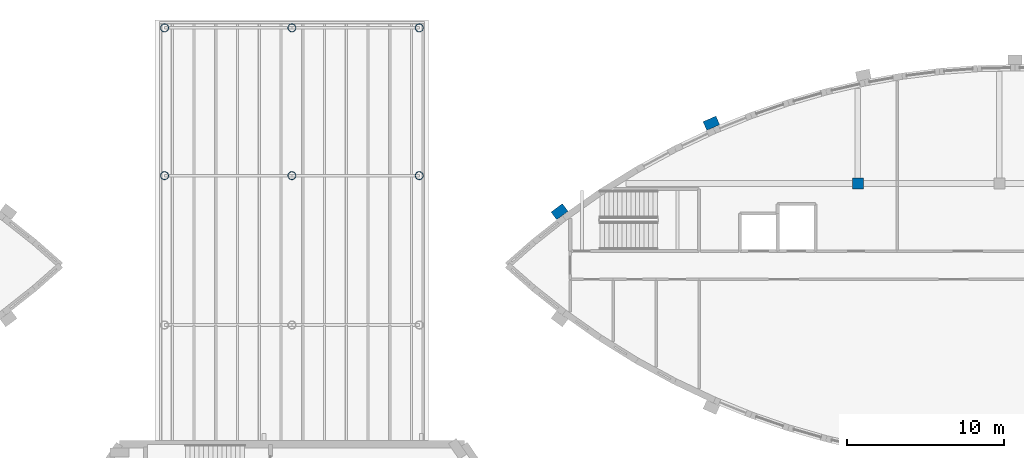
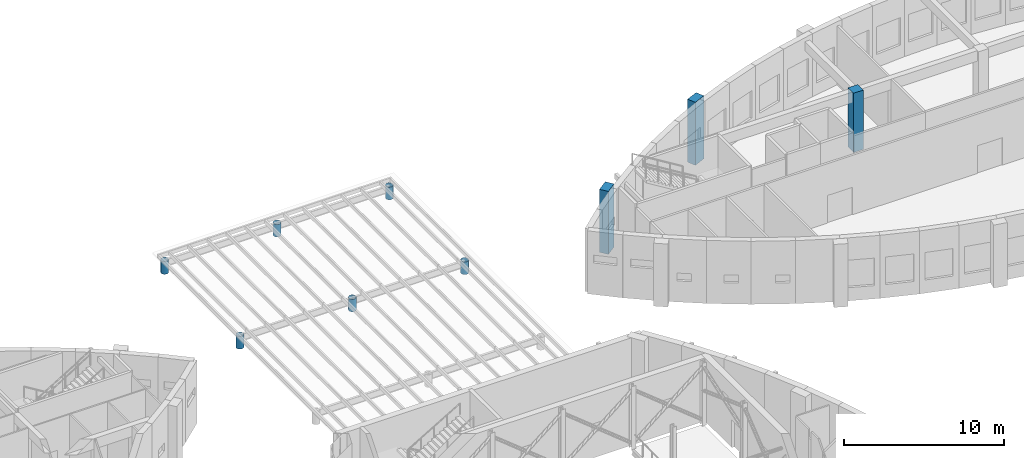
# One storey, part 6 of 93: 9 columns.
"""IFC4 building model written with IfcOpenShell, lengths in metres."""

from ifc_helpers import new_model, si_unit, direction, frame, origin, origin_2d, place, context, subcontext, project, spatial, rectangle, hollow_circle, extrude, material, material_profile, profile_set, type_object, element, save


model = new_model("IFC4")

# Units and contexts
model_context = context("Model", 3, precision=1e-05, world=origin(), true_north=direction((0.0, 1.0)))
body_context = subcontext(model_context, "Body", "Model", "MODEL_VIEW")
ifc_project = project(units=[si_unit("LENGTHUNIT", "METRE"), si_unit("AREAUNIT", "SQUARE_METRE"), si_unit("VOLUMEUNIT", "CUBIC_METRE"), si_unit("PLANEANGLEUNIT", "RADIAN"), si_unit("MASSUNIT", "GRAM", prefix="KILO")], contexts=[model_context])

# Site, building, storey
site_placement = place(None, origin())
site = spatial("IfcSite", under=ifc_project, at=site_placement, CompositionType="ELEMENT")
building_placement = place(site_placement, origin())
building = spatial("IfcBuilding", under=site, at=building_placement, Name="Tide Square Theatres", CompositionType="ELEMENT")
storey_placement = place(building_placement, frame((0.0, 0.0, 5.39990234375)))
storey = spatial("IfcBuildingStorey", under=building, at=storey_placement, Name="L01", CompositionType="ELEMENT", Elevation=5.39990234375)

# Columns
ifc_material_1 = material(Name="Concrete C40", Category="concrete")
ifc_material_profile_1 = material_profile(ifc_material_1, rectangle(XDim=0.699951171875, YDim=0.699951171875, at=origin_2d()))
ifc_profile_set_1 = profile_set([ifc_material_profile_1], Name="Concrete C40")
column_type_1 = type_object("IfcColumnType", Name="RC column 700 x 700", PredefinedType="COLUMN", material=ifc_profile_set_1)
column_placement = place(storey_placement, frame((120.0, 103.0, 0.0), z_axis=(0.0, 0.0, 1.0), x_axis=(1.0, 0.0, 0.0)))
element("IfcColumn", 1, at=column_placement, inside=storey, type_object=column_type_1, Name="Rehearsal Block frame column 1", PredefinedType="COLUMN", context=body_context, shape_type="SweptSolid", body=[
    extrude(rectangle(XDim=0.699951171875, YDim=0.699951171875, at=origin_2d()), origin(), (0.0, 0.0, 1.0), 4.52001953125),
])
ifc_material_2 = material(Name="Concrete C40", Category="concrete")
ifc_material_profile_2 = material_profile(ifc_material_2, rectangle(XDim=0.89990234375, YDim=0.60009765625, at=origin_2d()))
ifc_profile_set_2 = profile_set([ifc_material_profile_2], Name="Concrete C40")
column_type_2 = type_object("IfcColumnType", Name="RC pier 900 x 600", PredefinedType="PILASTER", material=ifc_profile_set_2)
for number, where, z_axis, x_axis, name in (
    (2, (101.02099609375, 101.20947265625, 0.0), (0.0, 0.0, 1.0), (-0.80192785119, -0.597420891403, 0.0), "Rehearsal Block rib pier 8"),
    (3, (110.678955078125, 106.8359375, 0.0), (0.0, 0.0, 1.0), (-0.915419314521, -0.402501526211, 0.0), "Rehearsal Block rib pier 9"),
):
    element("IfcColumn", number, at=place(storey_placement, frame(where, z_axis=z_axis, x_axis=x_axis)), inside=storey, type_object=column_type_2, Name=name, PredefinedType="PILASTER", context=body_context, shape_type="SweptSolid", body=[
        extrude(rectangle(XDim=0.89990234375, YDim=0.60009765625, at=origin_2d()), origin(), (0.0, 0.0, 1.0), 4.800048828125),
    ])
ifc_material_3 = material(Name="Steel ASTM A500 Grade C", Category="steel")
ifc_material_profile_3 = material_profile(ifc_material_3, hollow_circle(Radius=0.25390625, WallThickness=0.012451171875, at=origin_2d()))
ifc_profile_set_3 = profile_set([ifc_material_profile_3], Name="Steel ASTM A500 Grade C")
column_type_3 = type_object("IfcColumnType", Name="Steel column CHS 508.0 x 12.5", PredefinedType="COLUMN", material=ifc_profile_set_3)
for number, where, z_axis, x_axis, name in (
    (4, (75.89990234375, 103.5, 0.0), (0.0, 0.0, 1.0), (1.0, 0.0, 0.0), "Scenery dock canopy column"),
    (5, (84.0, 103.5, 0.0), (0.0, 0.0, 1.0), (1.0, 0.0, 0.0), "Scenery dock canopy column"),
    (6, (92.10009765625, 103.5, 0.0), (0.0, 0.0, 1.0), (1.0, 0.0, 0.0), "Scenery dock canopy column"),
    (7, (75.89990234375, 112.89990234375, 0.0), (0.0, 0.0, 1.0), (1.0, 0.0, 0.0), "Scenery dock canopy column"),
    (8, (84.0, 112.89990234375, 0.0), (0.0, 0.0, 1.0), (1.0, 0.0, 0.0), "Scenery dock canopy column"),
    (9, (92.10009765625, 112.89990234375, 0.0), (0.0, 0.0, 1.0), (1.0, 0.0, 0.0), "Scenery dock canopy column"),
):
    element("IfcColumn", number, at=place(storey_placement, frame(where, z_axis=z_axis, x_axis=x_axis)), inside=storey, type_object=column_type_3, Name=name, PredefinedType="COLUMN", context=body_context, shape_type="SweptSolid", body=[
        extrude(hollow_circle(Radius=0.25390625, WallThickness=0.012451171875, at=origin_2d()), origin(), (0.0, 0.0, 1.0), 0.960205078125),
    ])

save(model, "model.ifc")
